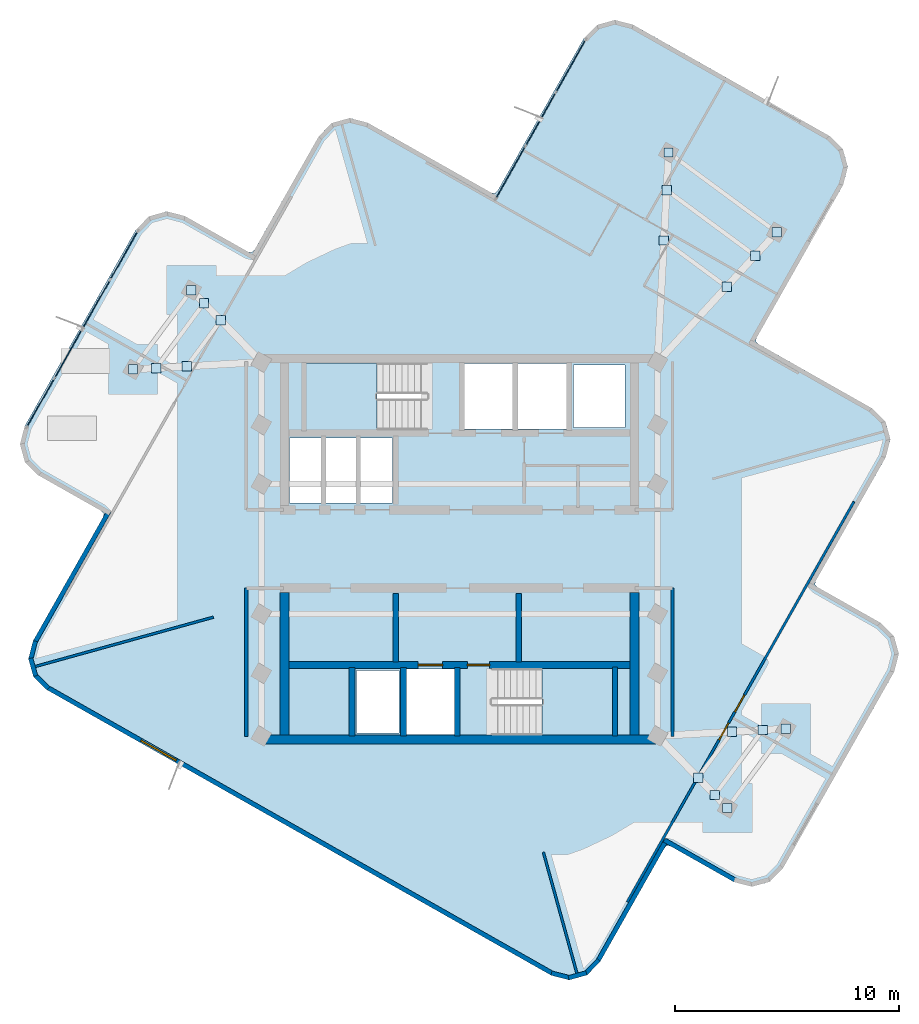
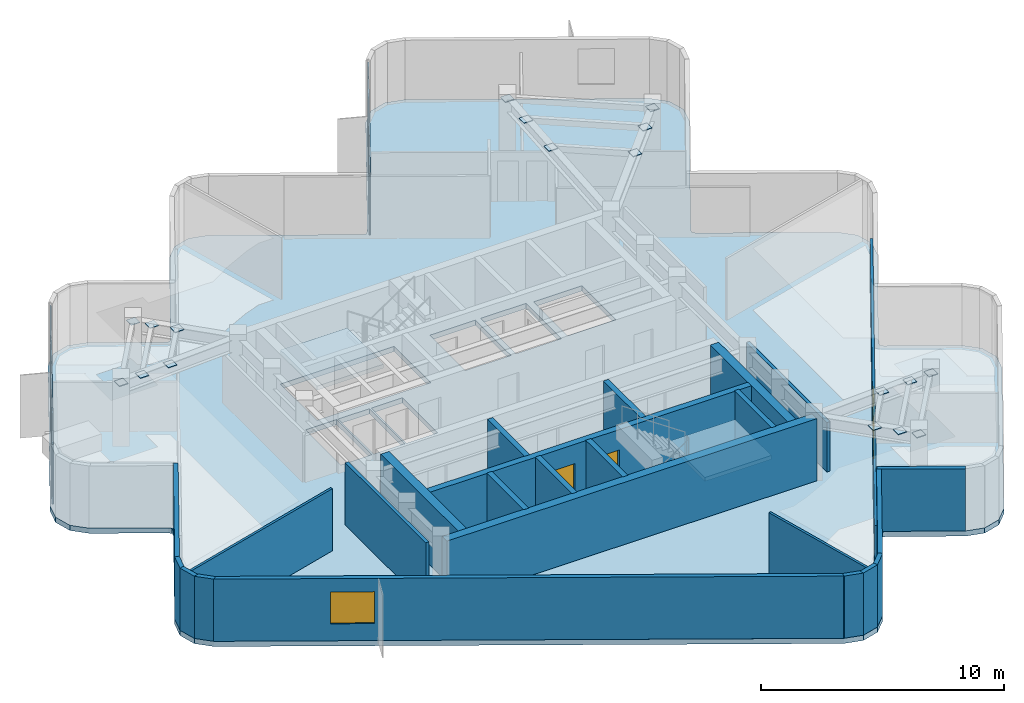
# One storey, part 5 of 11: 25 plates, 25 walls, 4 doors, 3 slabs, 1 window, 5 openings, 4 elements without a shape of their own.
"""IFC4 building model written with IfcOpenShell, lengths in metres."""

from ifc_helpers import new_model, si_unit, direction, frame, frame_2d, origin, origin_2d, place, context, subcontext, project, spatial, polyline, rectangle, outline, extrude, material, layer, layer_set, type_object, element, fill, aggregate, save


model = new_model("IFC4")

# Units and contexts
model_context = context("Model", 3, precision=1e-05, world=origin(), true_north=direction((0.0, 1.0)))
body_context = subcontext(model_context, "Body", "Model", "MODEL_VIEW")
ifc_project = project(units=[si_unit("LENGTHUNIT", "METRE"), si_unit("AREAUNIT", "SQUARE_METRE"), si_unit("VOLUMEUNIT", "CUBIC_METRE"), si_unit("PLANEANGLEUNIT", "RADIAN"), si_unit("MASSUNIT", "GRAM", prefix="KILO")], contexts=[model_context])

# Site, building, storey
site_placement = place(None, origin())
site = spatial("IfcSite", under=ifc_project, at=site_placement, CompositionType="ELEMENT")
building_placement = place(site_placement, origin())
building = spatial("IfcBuilding", under=site, at=building_placement, Name="Solmarez Civic Tower", CompositionType="ELEMENT")
storey_placement = place(building_placement, frame((0.0, 0.0, 281.699951171875)))
storey = spatial("IfcBuildingStorey", under=building, at=storey_placement, Name="L76", CompositionType="ELEMENT", Elevation=281.699951171875)

# Curtain wall, plates
ifc_material_1 = material(Name="Bronze Anodised Aluminium EN AW-6063 T6", Category="aluminium")
ifc_layer_1 = layer(ifc_material_1, 0.1650390625)
ifc_layer_set_1 = layer_set([ifc_layer_1], Name="Bronze Anodised Aluminium EN AW-6063 T6")
curtain_wall_type = type_object("IfcCurtainWallType", Name="CW-SYS-4", PredefinedType="NOTDEFINED", material=ifc_layer_set_1)
curtain_wall_1_placement = place(storey_placement, origin())
curtain_wall_1 = element("IfcCurtainWall", 1, at=curtain_wall_1_placement, inside=storey, type_object=curtain_wall_type, Name="L76 Stick-Built Curtain Wall 1", PredefinedType="NOTDEFINED")
ifc_material_2 = material(Name="Solar Control Low-E Laminated Vision Glass", Category="glass")
ifc_layer_2 = layer(ifc_material_2, 0.0400390625)
ifc_layer_set_2 = layer_set([ifc_layer_2], Name="Solar Control Low-E Laminated Vision Glass")
plate_type_1 = type_object("IfcPlateType", Name="CWP-GLAZ-40", PredefinedType="CURTAIN_PANEL", material=ifc_layer_set_2)
plate_1_placement = place(storey_placement, frame((-18.708251953125, 6.535400390625, 0.070068359375), z_axis=(0.0, 0.0, 1.0), x_axis=(0.492613746465, 0.87024806624, 0.0)))
plate_1 = element("IfcPlate", 2, at=plate_1_placement, type_object=plate_type_1, Name="CWS4 panel 1.1", PredefinedType="CURTAIN_PANEL", context=body_context, shape_type="SweptSolid", body=[
    extrude(rectangle(XDim=2.44091796875, YDim=0.0400390625, at=origin_2d()), origin(), (0.0, 0.0, 1.0), 2.97998046875),
])
plate_2_placement = place(storey_placement, frame((-17.468994140625, 8.724853515625, 0.070068359375), z_axis=(0.0, 0.0, 1.0), x_axis=(0.492613746465, 0.87024806624, 0.0)))
plate_2 = element("IfcPlate", 3, at=plate_2_placement, type_object=plate_type_1, Name="CWS4 panel 2.1", PredefinedType="CURTAIN_PANEL", context=body_context, shape_type="SweptSolid", body=[
    extrude(rectangle(XDim=2.470947265625, YDim=0.0400390625, at=origin_2d()), origin(), (0.0, 0.0, 1.0), 2.97998046875),
])
plate_3_placement = place(storey_placement, frame((-16.22216796875, 10.92724609375, 0.070068359375), z_axis=(0.0, 0.0, 1.0), x_axis=(0.492613746465, 0.87024806624, 0.0)))
plate_3 = element("IfcPlate", 4, at=plate_3_placement, type_object=plate_type_1, Name="CWS4 panel 3.1", PredefinedType="CURTAIN_PANEL", context=body_context, shape_type="SweptSolid", body=[
    extrude(rectangle(XDim=2.470947265625, YDim=0.0400390625, at=origin_2d()), origin(), (0.0, 0.0, 1.0), 2.97998046875),
])
plate_4_placement = place(storey_placement, frame((-14.982666015625, 13.11669921875, 0.070068359375), z_axis=(0.0, 0.0, 1.0), x_axis=(0.492613746465, 0.87024806624, 0.0)))
plate_4 = element("IfcPlate", 5, at=plate_4_placement, type_object=plate_type_1, Name="CWS4 panel 4.1", PredefinedType="CURTAIN_PANEL", context=body_context, shape_type="SweptSolid", body=[
    extrude(rectangle(XDim=2.44091796875, YDim=0.0400390625, at=origin_2d()), origin(), (0.0, 0.0, 1.0), 2.97998046875),
])
aggregate(curtain_wall_1, [plate_1, plate_2, plate_3, plate_4])

curtain_wall_2_placement = place(storey_placement, origin())
curtain_wall_2 = element("IfcCurtainWall", 6, at=curtain_wall_2_placement, inside=storey, type_object=curtain_wall_type, Name="L76 Stick-Built Curtain Wall 2", PredefinedType="NOTDEFINED")
plate_5_placement = place(storey_placement, frame((2.282958984375, 16.8173828125, 0.070068359375), z_axis=(0.0, 0.0, 1.0), x_axis=(0.492632896844, 0.870237225673, 0.0)))
plate_5 = element("IfcPlate", 7, at=plate_5_placement, type_object=plate_type_1, Name="CWS4 panel 1.1", PredefinedType="CURTAIN_PANEL", context=body_context, shape_type="SweptSolid", body=[
    extrude(rectangle(XDim=2.6572265625, YDim=0.0400390625, at=origin_2d()), origin(), (0.0, 0.0, 1.0), 2.97998046875),
])
plate_6_placement = place(storey_placement, frame((3.62890625, 19.195068359375, 0.070068359375), z_axis=(0.0, 0.0, 1.0), x_axis=(0.492632896844, 0.870237225673, 0.0)))
plate_6 = element("IfcPlate", 8, at=plate_6_placement, type_object=plate_type_1, Name="CWS4 panel 2.1", PredefinedType="CURTAIN_PANEL", context=body_context, shape_type="SweptSolid", body=[
    extrude(rectangle(XDim=2.687255859375, YDim=0.0400390625, at=origin_2d()), origin(), (0.0, 0.0, 1.0), 2.97998046875),
])
plate_7_placement = place(storey_placement, frame((4.974853515625, 21.572509765625, 0.070068359375), z_axis=(0.0, 0.0, 1.0), x_axis=(0.492632896844, 0.870237225673, 0.0)))
plate_7 = element("IfcPlate", 9, at=plate_7_placement, type_object=plate_type_1, Name="CWS4 panel 3.1", PredefinedType="CURTAIN_PANEL", context=body_context, shape_type="SweptSolid", body=[
    extrude(rectangle(XDim=2.6572265625, YDim=0.0400390625, at=origin_2d()), origin(), (0.0, 0.0, 1.0), 2.97998046875),
])
aggregate(curtain_wall_2, [plate_5, plate_6, plate_7])

# Plates
ifc_material_3 = material(Name="Steel S355", Category="steel")
ifc_layer_3 = layer(ifc_material_3, 0.02392578125)
ifc_layer_set_3 = layer_set([ifc_layer_3], Name="Steel S355")
plate_type_2 = type_object("IfcPlateType", Name="PLT-CAP-380", PredefinedType="USERDEFINED", material=ifc_layer_set_3)
for number, where, z_axis, x_axis, name in (
    (10, (14.1689453125, 14.152099609375, 2.9580078125), (0.0, 0.0, 1.0), (1.0, 0.0, 0.0), "Steel Member End Cap Plate CAP-BM-L76-EA-T1-0"),
    (11, (9.341064453125, 17.714111328125, 2.9580078125), (0.0, 0.0, 1.0), (1.0, 0.0, 0.0), "Steel Member End Cap Plate CAP-BM-L76-EA-T1-1"),
    (12, (11.93505859375, 11.715087890625, 2.9580078125), (0.0, 0.0, 1.0), (1.0, 0.0, 0.0), "Steel Member End Cap Plate CAP-JS-L76-EA-M11-0"),
    (13, (9.135009765625, 13.781005859375, 2.9580078125), (0.0, 0.0, 1.0), (1.0, 0.0, 0.0), "Steel Member End Cap Plate CAP-JS-L76-EA-M11-1"),
    (14, (13.2119140625, 13.10791015625, 2.9580078125), (0.0, 0.0, 1.0), (1.0, 0.0, 0.0), "Steel Member End Cap Plate CAP-JS-L76-EA-M12-0"),
    (15, (9.2529296875, 16.028076171875, 2.9580078125), (0.0, 0.0, 1.0), (1.0, 0.0, 0.0), "Steel Member End Cap Plate CAP-JS-L76-EA-M12-1"),
    (16, (-11.970947265625, 11.56591796875, 2.9580078125), (0.0, 0.0, 1.0), (1.0, 0.0, 0.0), "Steel Member End Cap Plate CAP-BM-L76-NA-T1-0"),
    (17, (-14.5830078125, 8.02587890625, 2.9580078125), (0.0, 0.0, 1.0), (1.0, 0.0, 0.0), "Steel Member End Cap Plate CAP-BM-L76-NA-T1-1"),
    (18, (-10.659912109375, 10.215087890625, 2.9580078125), (0.0, 0.0, 1.0), (1.0, 0.0, 0.0), "Steel Member End Cap Plate CAP-JS-L76-NA-M11-0"),
    (19, (-12.175048828125, 8.162109375, 2.9580078125), (0.0, 0.0, 1.0), (1.0, 0.0, 0.0), "Steel Member End Cap Plate CAP-JS-L76-NA-M11-1"),
    (20, (-11.408935546875, 10.987060546875, 2.9580078125), (0.0, 0.0, 1.0), (1.0, 0.0, 0.0), "Steel Member End Cap Plate CAP-JS-L76-NA-M12-0"),
    (21, (-13.551025390625, 8.083984375, 2.9580078125), (0.0, 0.0, 1.0), (1.0, 0.0, 0.0), "Steel Member End Cap Plate CAP-JS-L76-NA-M12-1"),
    (22, (11.970947265625, -11.56591796875, 2.9580078125), (0.0, 0.0, 1.0), (1.0, 0.0, 0.0), "Steel Member End Cap Plate CAP-BM-L76-SA-T1-0"),
    (23, (14.5830078125, -8.02587890625, 2.9580078125), (0.0, 0.0, 1.0), (1.0, 0.0, 0.0), "Steel Member End Cap Plate CAP-BM-L76-SA-T1-1"),
    (24, (10.659912109375, -10.215087890625, 2.9580078125), (0.0, 0.0, 1.0), (1.0, 0.0, 0.0), "Steel Member End Cap Plate CAP-JS-L76-SA-M11-0"),
    (25, (12.175048828125, -8.162109375, 2.9580078125), (0.0, 0.0, 1.0), (1.0, 0.0, 0.0), "Steel Member End Cap Plate CAP-JS-L76-SA-M11-1"),
    (26, (11.408935546875, -10.987060546875, 2.9580078125), (0.0, 0.0, 1.0), (1.0, 0.0, 0.0), "Steel Member End Cap Plate CAP-JS-L76-SA-M12-0"),
    (27, (13.551025390625, -8.083984375, 2.9580078125), (0.0, 0.0, 1.0), (1.0, 0.0, 0.0), "Steel Member End Cap Plate CAP-JS-L76-SA-M12-1"),
):
    element("IfcPlate", number, at=place(storey_placement, frame(where, z_axis=z_axis, x_axis=x_axis)), inside=storey, type_object=plate_type_2, Name=name, ObjectType="CAP_PLATE", PredefinedType="USERDEFINED", context=body_context, shape_type="SweptSolid", body=[
        extrude(rectangle(XDim=0.419921875, YDim=0.419921875, at=origin_2d()), origin(), (0.0, 0.0, 1.0), 0.02392578125),
    ])

# Stair, slab
ifc_material_4 = material(Name="Concrete C50/60", Category="concrete")
stair_type = type_object("IfcStairType", Name="STAIR-DOGLEG-140W-18R-1900", PredefinedType="HALF_TURN_STAIR", material=ifc_material_4)
stair_1_placement = place(storey_placement, origin())
stair_1 = element("IfcStair", 28, at=stair_1_placement, inside=storey, type_object=stair_type, Name="L76 North Core Protected Exit Stair ST-1", PredefinedType="HALF_TURN_STAIR")
ifc_layer_4 = layer(ifc_material_4, 0.199951171875)
ifc_layer_set_4 = layer_set([ifc_layer_4], Name="Concrete C50/60")
slab_type_1 = type_object("IfcSlabType", Name="SLAB-LANDING-200", PredefinedType="LANDING", material=ifc_layer_set_4)
slab_1_placement = place(storey_placement, frame((0.0, 0.0, 1.510009765625)))
slab_1 = element("IfcSlab", 29, at=slab_1_placement, type_object=slab_type_1, Name="ST-1 landing 1", PredefinedType="LANDING", context=body_context, shape_type="SweptSolid", body=[
    extrude(outline(polyline([(-3.68994140625, 8.320068359375), (-6.85009765625, 8.320068359375), (-6.85009765625, 5.320068359375), (-3.68994140625, 5.320068359375), (-3.68994140625, 8.320068359375)])), origin(), (0.0, 0.0, 1.0), 0.199951171875),
])
aggregate(stair_1, [slab_1])

stair_2_placement = place(storey_placement, origin())
stair_2 = element("IfcStair", 30, at=stair_2_placement, inside=storey, type_object=stair_type, Name="L76 South Core Protected Exit Stair ST-2", PredefinedType="HALF_TURN_STAIR")
slab_2_placement = place(storey_placement, frame((0.0, 0.0, 1.510009765625)))
slab_2 = element("IfcSlab", 31, at=slab_2_placement, type_object=slab_type_1, Name="ST-2 landing 1", PredefinedType="LANDING", context=body_context, shape_type="SweptSolid", body=[
    extrude(outline(polyline([(3.68994140625, -8.320068359375), (6.85009765625, -8.320068359375), (6.85009765625, -5.320068359375), (3.68994140625, -5.320068359375), (3.68994140625, -8.320068359375)])), origin(), (0.0, 0.0, 1.0), 0.199951171875),
])
aggregate(stair_2, [slab_2])

# Slab
ifc_layer_5 = layer(ifc_material_4, 0.260009765625)
ifc_layer_set_5 = layer_set([ifc_layer_5], Name="Concrete C50/60")
slab_type_2 = type_object("IfcSlabType", Name="SLAB-TOWER-260", PredefinedType="FLOOR", material=ifc_layer_set_5)
slab_3_placement = place(storey_placement, frame((0.0, 0.0, -0.260009765625)))
element("IfcSlab", 32, at=slab_3_placement, inside=storey, type_object=slab_type_2, Name="L76 Structural Slab", PredefinedType="FLOOR", context=body_context, shape_type="SweptSolid", body=[
    extrude(outline(polyline([(9.445068359375, -13.277099609375), (12.262939453125, -14.873046875), (13.06494140625, -15.0810546875), (13.863037109375, -14.860107421875), (14.444091796875, -14.26904296875), (19.4208984375, -5.48095703125), (19.6279296875, -4.678955078125), (19.406982421875, -3.881103515625), (18.81689453125, -3.300048828125), (15.998046875, -1.7041015625), (15.875, -1.5830078125), (15.91796875, -1.4169921875), (19.0419921875, 4.10009765625), (19.25, 4.90087890625), (19.029052734375, 5.699951171875), (18.43798828125, 6.280029296875), (13.35693359375, 9.157958984375), (13.23388671875, 9.278076171875), (13.277099609375, 9.445068359375), (17.139892578125, 16.26611328125), (17.347900390625, 17.068115234375), (17.126953125, 17.865966796875), (16.535888671875, 18.447021484375), (7.7470703125, 23.424072265625), (6.945068359375, 23.631103515625), (6.14697265625, 23.409912109375), (5.56591796875, 22.820068359375), (1.7041015625, 15.998046875), (1.5830078125, 15.875), (1.4169921875, 15.91796875), (-4.10009765625, 19.0419921875), (-4.90087890625, 19.25), (-5.699951171875, 19.029052734375), (-6.280029296875, 18.43798828125), (-9.157958984375, 13.35693359375), (-9.278076171875, 13.23388671875), (-9.445068359375, 13.277099609375), (-12.262939453125, 14.873046875), (-13.06494140625, 15.0810546875), (-13.863037109375, 14.860107421875), (-14.444091796875, 14.26904296875), (-19.4208984375, 5.48095703125), (-19.6279296875, 4.678955078125), (-19.406982421875, 3.881103515625), (-18.81689453125, 3.300048828125), (-15.998046875, 1.7041015625), (-15.875, 1.5830078125), (-15.91796875, 1.4169921875), (-19.0419921875, -4.10009765625), (-19.25, -4.90087890625), (-19.029052734375, -5.699951171875), (-18.43798828125, -6.280029296875), (4.10009765625, -19.0419921875), (4.90087890625, -19.25), (5.699951171875, -19.029052734375), (6.280029296875, -18.43798828125), (9.157958984375, -13.35693359375), (9.278076171875, -13.23388671875), (9.445068359375, -13.277099609375)]), holes=[polyline([(-1.449951171875, 8.320068359375), (-6.85009765625, 8.320068359375), (-6.85009765625, 5.320068359375), (-1.449951171875, 5.320068359375), (-1.449951171875, 8.320068359375)]), polyline([(1.449951171875, -8.320068359375), (6.85009765625, -8.320068359375), (6.85009765625, -5.320068359375), (1.449951171875, -5.320068359375), (1.449951171875, -8.320068359375)]), polyline([(0.219970703125, 5.360107421875), (2.3798828125, 5.360107421875), (2.3798828125, 8.280029296875), (0.219970703125, 8.280029296875), (0.219970703125, 5.360107421875)]), polyline([(2.6201171875, 5.360107421875), (4.780029296875, 5.360107421875), (4.780029296875, 8.280029296875), (2.6201171875, 8.280029296875), (2.6201171875, 5.360107421875)]), polyline([(-2.3798828125, -8.280029296875), (-0.219970703125, -8.280029296875), (-0.219970703125, -5.360107421875), (-2.3798828125, -5.360107421875), (-2.3798828125, -8.280029296875)]), polyline([(-7.60009765625, 2.06005859375), (-6.1201171875, 2.06005859375), (-6.1201171875, 4.9599609375), (-7.60009765625, 4.9599609375), (-7.60009765625, 2.06005859375)]), polyline([(-6.0400390625, 2.06005859375), (-4.56005859375, 2.06005859375), (-4.56005859375, 4.9599609375), (-6.0400390625, 4.9599609375), (-6.0400390625, 2.06005859375)]), polyline([(-4.47998046875, 2.06005859375), (-3.0, 2.06005859375), (-3.0, 4.9599609375), (-4.47998046875, 4.9599609375), (-4.47998046875, 2.06005859375)]), polyline([(5.10009765625, 5.419921875), (7.39990234375, 5.419921875), (7.39990234375, 8.219970703125), (5.10009765625, 8.219970703125), (5.10009765625, 5.419921875)]), polyline([(-4.60009765625, -8.219970703125), (-2.699951171875, -8.219970703125), (-2.699951171875, -5.419921875), (-4.60009765625, -5.419921875), (-4.60009765625, -8.219970703125)])]), origin(), (0.0, 0.0, 1.0), 0.260009765625),
])

# Walls
ifc_layer_6 = layer(ifc_material_4, 0.39990234375)
ifc_layer_set_6 = layer_set([ifc_layer_6], Name="Concrete C50/60")
wall_type_1 = type_object("IfcWallType", Name="WALL-CORE-400", PredefinedType="SHEAR", material=ifc_layer_set_6)
wall_1_placement = place(storey_placement, frame((8.780029296875, -8.510009765625, 0.0), z_axis=(0.0, 0.0, 1.0), x_axis=(-1.0, 0.0, 0.0)))
element("IfcWall", 33, at=wall_1_placement, inside=storey, type_object=wall_type_1, Name="L76 Split-Core Structural Wall SCW-S-L76", PredefinedType="SHEAR", context=body_context, shape_type="SweptSolid", body=[
    extrude(rectangle(XDim=17.56005859375, YDim=0.39990234375, at=frame_2d((8.780029296875, 0.0))), origin(), (0.0, 0.0, 1.0), 3.1201171875),
])
for number, where, z_axis, x_axis, name in (
    (34, (-7.820068359375, -8.31005859375, 0.0), (0.0, 0.0, 1.0), (0.0, 1.0, 0.0), "L76 Split-Core Structural Wall SCW-W-L76"),
    (35, (7.820068359375, -1.949951171875, 0.0), (0.0, 0.0, 1.0), (0.0, -1.0, 0.0), "L76 Split-Core Structural Wall SCW-E-L76"),
):
    element("IfcWall", number, at=place(storey_placement, frame(where, z_axis=z_axis, x_axis=x_axis)), inside=storey, type_object=wall_type_1, Name=name, PredefinedType="SHEAR", context=body_context, shape_type="SweptSolid", body=[
        extrude(rectangle(XDim=6.360107421875, YDim=0.39990234375, at=frame_2d((3.18017578125, 0.0))), origin(), (0.0, 0.0, 1.0), 3.1201171875),
    ])
ifc_material_5 = material(Name="Precast concrete C40/50", Category="concrete")
ifc_layer_7 = layer(ifc_material_5, 0.199951171875)
ifc_layer_set_7 = layer_set([ifc_layer_7], Name="Precast concrete C40/50")
wall_type_2 = type_object("IfcWallType", Name="WALL-EXT-200", PredefinedType="SOLIDWALL", material=ifc_layer_set_7)
wall_2_placement = place(storey_placement, frame((9.261962890625, -12.968017578125, 0.0), z_axis=(0.0, 0.0, 1.0), x_axis=(-0.492583125855, -0.87026539867, 0.0)))
element("IfcWall", 36, at=wall_2_placement, inside=storey, type_object=wall_type_2, Name="L76 Exterior Precast Wall 2", PredefinedType="SOLIDWALL", context=body_context, shape_type="SweptSolid", body=[
    extrude(rectangle(XDim=6.240478515625, YDim=0.199951171875, at=frame_2d((3.1201171875, 0.0))), origin(), (0.0, 0.0, 1.0), 3.1201171875),
])
wall_3_placement = place(storey_placement, frame((6.218017578125, -18.35888671875, 0.0), z_axis=(0.0, 0.0, 1.0), x_axis=(-0.701706468749, -0.712466161804, 0.0)))
element("IfcWall", 37, at=wall_3_placement, inside=storey, type_object=wall_type_2, Name="L76 Exterior Precast Wall 3", PredefinedType="SOLIDWALL", context=body_context, shape_type="SweptSolid", body=[
    extrude(rectangle(XDim=0.839599609375, YDim=0.199951171875, at=frame_2d((0.419921875, 0.0))), origin(), (0.0, 0.0, 1.0), 3.1201171875),
])
wall_4_placement = place(storey_placement, frame((5.6708984375, -18.931884765625, 0.0), z_axis=(0.0, 0.0, 1.0), x_axis=(-0.963313924885, -0.268377126675, 0.0)))
element("IfcWall", 38, at=wall_4_placement, inside=storey, type_object=wall_type_2, Name="L76 Exterior Precast Wall 4", PredefinedType="SOLIDWALL", context=body_context, shape_type="SweptSolid", body=[
    extrude(rectangle(XDim=0.82421875, YDim=0.199951171875, at=frame_2d((0.412109375, 0.0))), origin(), (0.0, 0.0, 1.0), 3.1201171875),
])
wall_5_placement = place(storey_placement, frame((4.925048828125, -19.152099609375, 0.0), z_axis=(0.0, 0.0, 1.0), x_axis=(-0.968015248239, 0.250891369276, 0.0)))
element("IfcWall", 39, at=wall_5_placement, inside=storey, type_object=wall_type_2, Name="L76 Exterior Precast Wall 5", PredefinedType="SOLIDWALL", context=body_context, shape_type="SweptSolid", body=[
    extrude(rectangle(XDim=0.837890625, YDim=0.199951171875, at=frame_2d((0.4189453125, 0.0))), origin(), (0.0, 0.0, 1.0), 3.1201171875),
])

# Wall, opening, window
wall_6_placement = place(storey_placement, frame((4.159912109375, -18.9599609375, 0.0), z_axis=(0.0, 0.0, 1.0), x_axis=(-0.870210232131, 0.492680577956, 0.0)))
wall_6 = element("IfcWall", 40, at=wall_6_placement, inside=storey, type_object=wall_type_2, Name="L76 Exterior Precast Wall 6", PredefinedType="SOLIDWALL", context=body_context, shape_type="SweptSolid", body=[
    extrude(rectangle(XDim=25.92333984375, YDim=0.199951171875, at=frame_2d((12.961669921875, 0.0))), origin(), (0.0, 0.0, 1.0), 3.1201171875),
])
opening_1_placement = place(wall_6_placement, frame((19.320068359375, 0.0, 0.85009765625)))
opening_1 = element("IfcOpeningElement", 41, at=opening_1_placement, cuts=wall_6, Name="Opening W-12", PredefinedType="OPENING", context=body_context, shape_type="SweptSolid", body=[
    extrude(rectangle(XDim=1.800048828125, YDim=1.60009765625, at=frame_2d((0.89990234375, 0.800048828125))), frame((0.0, 0.10986328125, 0.0), z_axis=(0.0, -1.0, 0.0), x_axis=(1.0, 0.0, 0.0)), (0.0, 0.0, 1.0), 0.219970703125),
])
ifc_material_6 = material(Name="Solar Control Bronze-Tinted Insulating Glass", Category="glass")
window_type = type_object("IfcWindowType", Name="WIN-1800X1600", PartitioningType="SINGLE_PANEL", PredefinedType="WINDOW", material=ifc_material_6)
window_placement = place(opening_1_placement, origin())
window = element("IfcWindow", 42, at=window_placement, inside=storey, type_object=window_type, Name="L76 Exterior Facade Window 6", OverallHeight=1.60009765625, OverallWidth=1.800048828125, PartitioningType="SINGLE_PANEL", PredefinedType="WINDOW", context=body_context, shape_type="SweptSolid", body=[
    extrude(rectangle(XDim=1.800048828125, YDim=1.60009765625, at=frame_2d((0.89990234375, 0.800048828125))), frame((0.0, 0.030029296875, 0.0), z_axis=(0.0, -1.0, 0.0), x_axis=(1.0, 0.0, 0.0)), (0.0, 0.0, 1.0), 0.06005859375),
])
fill(opening_1, window)

# Walls
wall_7_placement = place(storey_placement, frame((-18.35888671875, -6.218017578125, 0.0), z_axis=(0.0, 0.0, 1.0), x_axis=(-0.712466161804, 0.701706468749, 0.0)))
element("IfcWall", 43, at=wall_7_placement, inside=storey, type_object=wall_type_2, Name="L76 Exterior Precast Wall 7", PredefinedType="SOLIDWALL", context=body_context, shape_type="SweptSolid", body=[
    extrude(rectangle(XDim=0.839599609375, YDim=0.199951171875, at=frame_2d((0.419921875, 0.0))), origin(), (0.0, 0.0, 1.0), 3.1201171875),
])
wall_8_placement = place(storey_placement, frame((-18.931884765625, -5.6708984375, 0.0), z_axis=(0.0, 0.0, 1.0), x_axis=(-0.268377126675, 0.963313924885, 0.0)))
element("IfcWall", 44, at=wall_8_placement, inside=storey, type_object=wall_type_2, Name="L76 Exterior Precast Wall 8", PredefinedType="SOLIDWALL", context=body_context, shape_type="SweptSolid", body=[
    extrude(rectangle(XDim=0.82421875, YDim=0.199951171875, at=frame_2d((0.412109375, 0.0))), origin(), (0.0, 0.0, 1.0), 3.1201171875),
])
wall_9_placement = place(storey_placement, frame((-19.152099609375, -4.925048828125, 0.0), z_axis=(0.0, 0.0, 1.0), x_axis=(0.250891369276, 0.968015248239, 0.0)))
element("IfcWall", 45, at=wall_9_placement, inside=storey, type_object=wall_type_2, Name="L76 Exterior Precast Wall 9", PredefinedType="SOLIDWALL", context=body_context, shape_type="SweptSolid", body=[
    extrude(rectangle(XDim=0.837890625, YDim=0.199951171875, at=frame_2d((0.4189453125, 0.0))), origin(), (0.0, 0.0, 1.0), 3.1201171875),
])
wall_10_placement = place(storey_placement, frame((-18.9599609375, -4.159912109375, 0.0), z_axis=(0.0, 0.0, 1.0), x_axis=(0.492441425139, 0.870345588147, 0.0)))
element("IfcWall", 46, at=wall_10_placement, inside=storey, type_object=wall_type_2, Name="L76 Exterior Precast Wall 10", PredefinedType="SOLIDWALL", context=body_context, shape_type="SweptSolid", body=[
    extrude(rectangle(XDim=6.741943359375, YDim=0.199951171875, at=frame_2d((3.37109375, 0.0))), origin(), (0.0, 0.0, 1.0), 3.1201171875),
])
wall_11_placement = place(storey_placement, frame((12.322998046875, -14.7919921875, 0.0), z_axis=(0.0, 0.0, 1.0), x_axis=(-0.870412972764, 0.492322309918, 0.0)))
element("IfcWall", 47, at=wall_11_placement, inside=storey, type_object=wall_type_2, Name="L76 Exterior Precast Wall 57", PredefinedType="SOLIDWALL", context=body_context, shape_type="SweptSolid", body=[
    extrude(rectangle(XDim=3.641845703125, YDim=0.199951171875, at=frame_2d((1.82080078125, 0.0))), origin(), (0.0, 0.0, 1.0), 3.1201171875),
])
ifc_material_7 = material(Name="Gypsum Board Acoustic Steel-Stud Partition", Category="steel")
ifc_layer_8 = layer(ifc_material_7, 0.14990234375)
ifc_layer_set_8 = layer_set([ifc_layer_8], Name="Gypsum Board Acoustic Steel-Stud Partition")
wall_type_3 = type_object("IfcWallType", Name="WALL-INT-FIRE-150", PredefinedType="PARTITIONING", material=ifc_layer_set_8)
wall_12_placement = place(storey_placement, frame((-9.52001953125, -8.3798828125, 0.0), z_axis=(0.0, 0.0, 1.0), x_axis=(0.0, 1.0, 0.0)))
element("IfcWall", 48, at=wall_12_placement, inside=storey, type_object=wall_type_3, Name="L76 Interior Partition CHW-L76-WS1", PredefinedType="PARTITIONING", context=body_context, shape_type="SweptSolid", body=[
    extrude(rectangle(XDim=6.6298828125, YDim=0.14990234375, at=frame_2d((3.31494140625, 0.0))), origin(), (0.0, 0.0, 1.0), 3.1201171875),
])
wall_13_placement = place(storey_placement, frame((9.52001953125, -8.3798828125, 0.0), z_axis=(0.0, 0.0, 1.0), x_axis=(0.0, 1.0, 0.0)))
element("IfcWall", 49, at=wall_13_placement, inside=storey, type_object=wall_type_3, Name="L76 Interior Partition CHW-L76-ES1", PredefinedType="PARTITIONING", context=body_context, shape_type="SweptSolid", body=[
    extrude(rectangle(XDim=6.6298828125, YDim=0.14990234375, at=frame_2d((3.31494140625, 0.0))), origin(), (0.0, 0.0, 1.0), 2.489990234375),
])
ifc_layer_9 = layer(ifc_material_7, 0.110107421875)
ifc_layer_set_9 = layer_set([ifc_layer_9], Name="Gypsum Board Acoustic Steel-Stud Partition")
wall_type_4 = type_object("IfcWallType", Name="WALL-INT-PART-110", PredefinedType="PARTITIONING", material=ifc_layer_set_9)
wall_14_placement = place(storey_placement, frame((-10.986083984375, -3.04296875, 0.0), z_axis=(0.0, 0.0, 1.0), x_axis=(-0.963747373359, -0.266816416929, 0.0)))
element("IfcWall", 50, at=wall_14_placement, inside=storey, type_object=wall_type_4, Name="L76 Interior Partition PT-L76-QDIV-2", PredefinedType="PARTITIONING", context=body_context, shape_type="SweptSolid", body=[
    extrude(rectangle(XDim=8.294677734375, YDim=0.110107421875, at=frame_2d((4.1474609375, 0.0))), origin(), (0.0, 0.0, 1.0), 3.1201171875),
])
wall_15_placement = place(storey_placement, frame((3.75, -13.5400390625, 0.0), z_axis=(0.0, 0.0, 1.0), x_axis=(0.266822842302, -0.963745594452, 0.0)))
element("IfcWall", 51, at=wall_15_placement, inside=storey, type_object=wall_type_4, Name="L76 Interior Partition PT-L76-QDIV-3", PredefinedType="PARTITIONING", context=body_context, shape_type="SweptSolid", body=[
    extrude(rectangle(XDim=5.64453125, YDim=0.110107421875, at=frame_2d((2.822265625, 0.0))), origin(), (0.0, 0.0, 1.0), 3.1201171875),
])

# Wall, openings, doors
wall_16_placement = place(storey_placement, frame((17.618896484375, 2.113037109375, 0.0), z_axis=(0.0, 0.0, 1.0), x_axis=(-0.492746831558, -0.870172718482, 0.0)))
wall_16 = element("IfcWall", 52, at=wall_16_placement, inside=storey, type_object=wall_type_4, Name="L76 Interior Partition PT-L76-S-ENT", PredefinedType="PARTITIONING", context=body_context, shape_type="SweptSolid", body=[
    extrude(rectangle(XDim=20.53955078125, YDim=0.110107421875, at=frame_2d((10.269775390625, 0.0))), origin(), (0.0, 0.0, 1.0), 2.489990234375),
])
opening_2_placement = place(wall_16_placement, frame((11.360107421875, 0.0, 0.0)))
opening_2 = element("IfcOpeningElement", 53, at=opening_2_placement, cuts=wall_16, Name="Opening D-14", PredefinedType="OPENING", context=body_context, shape_type="SweptSolid", body=[
    extrude(rectangle(XDim=0.860107421875, YDim=2.0400390625, at=frame_2d((0.43017578125, 1.02001953125))), frame((0.0, 0.06494140625, 0.0), z_axis=(0.0, -1.0, 0.0), x_axis=(1.0, 0.0, 0.0)), (0.0, 0.0, 1.0), 0.130126953125),
])
opening_3_placement = place(wall_16_placement, frame((9.919921875, 0.0, 0.0)))
opening_3 = element("IfcOpeningElement", 54, at=opening_3_placement, cuts=wall_16, Name="Opening D-14", PredefinedType="OPENING", context=body_context, shape_type="SweptSolid", body=[
    extrude(rectangle(XDim=0.860107421875, YDim=2.0400390625, at=frame_2d((0.43017578125, 1.02001953125))), frame((0.0, 0.06494140625, 0.0), z_axis=(0.0, -1.0, 0.0), x_axis=(1.0, 0.0, 0.0)), (0.0, 0.0, 1.0), 0.130126953125),
])
ifc_material_8 = material(Name="Timber Storage and Pantry Door", Category="wood")
door_type_1 = type_object("IfcDoorType", Name="DOOR-INT-850", OperationType="NOTDEFINED", PredefinedType="DOOR", material=ifc_material_8)
door_1_placement = place(opening_2_placement, origin())
door_1 = element("IfcDoor", 55, at=door_1_placement, inside=storey, type_object=door_type_1, Name="L76 Tribunal Mediation Conference Room Second South Door", OperationType="SINGLE_SWING_RIGHT", OverallHeight=2.0400390625, OverallWidth=0.860107421875, PredefinedType="DOOR", context=body_context, shape_type="SweptSolid", body=[
    extrude(rectangle(XDim=0.860107421875, YDim=2.0400390625, at=frame_2d((0.43017578125, 1.02001953125))), frame((0.0, 0.02490234375, 0.0), z_axis=(0.0, -1.0, 0.0), x_axis=(1.0, 0.0, 0.0)), (0.0, 0.0, 1.0), 0.050048828125),
])
fill(opening_2, door_1)
door_2_placement = place(opening_3_placement, origin())
door_2 = element("IfcDoor", 56, at=door_2_placement, inside=storey, type_object=door_type_1, Name="L76 Delegates Lounge First South Door", OperationType="SINGLE_SWING_LEFT", OverallHeight=2.0400390625, OverallWidth=0.860107421875, PredefinedType="DOOR", context=body_context, shape_type="SweptSolid", body=[
    extrude(rectangle(XDim=0.860107421875, YDim=2.0400390625, at=frame_2d((0.43017578125, 1.02001953125))), frame((0.0, 0.02490234375, 0.0), z_axis=(0.0, -1.0, 0.0), x_axis=(1.0, 0.0, 0.0)), (0.0, 0.0, 1.0), 0.050048828125),
])
fill(opening_3, door_2)

ifc_layer_10 = layer(ifc_material_4, 0.300048828125)
ifc_layer_set_10 = layer_set([ifc_layer_10], Name="Concrete C50/60")
wall_type_5 = type_object("IfcWallType", Name="WALL-STR-300", PredefinedType="SOLIDWALL", material=ifc_layer_set_10)
wall_17_placement = place(storey_placement, frame((-7.6201171875, -5.179931640625, 0.0), z_axis=(0.0, 0.0, 1.0), x_axis=(1.0, 0.0, 0.0)))
wall_17 = element("IfcWall", 57, at=wall_17_placement, inside=storey, type_object=wall_type_5, Name="L76 Split-Core Structural Wall SCW-M-L76", PredefinedType="SOLIDWALL", context=body_context, shape_type="SweptSolid", body=[
    extrude(rectangle(XDim=15.240234375, YDim=0.300048828125, at=frame_2d((7.6201171875, 0.0))), origin(), (0.0, 0.0, 1.0), 3.1201171875),
])
opening_4_placement = place(wall_17_placement, frame((5.77001953125, 0.0, 0.0)))
opening_4 = element("IfcOpeningElement", 58, at=opening_4_placement, cuts=wall_17, Name="Opening LD-02", PredefinedType="OPENING", context=body_context, shape_type="SweptSolid", body=[
    extrude(rectangle(XDim=1.10009765625, YDim=2.14990234375, at=frame_2d((0.550048828125, 1.074951171875))), frame((0.0, 0.159912109375, 0.0), z_axis=(0.0, -1.0, 0.0), x_axis=(1.0, 0.0, 0.0)), (0.0, 0.0, 1.0), 0.320068359375),
])
opening_5_placement = place(wall_17_placement, frame((7.969970703125, 0.0, 0.0)))
opening_5 = element("IfcOpeningElement", 59, at=opening_5_placement, cuts=wall_17, Name="Opening D-05", PredefinedType="OPENING", context=body_context, shape_type="SweptSolid", body=[
    extrude(rectangle(XDim=1.0, YDim=2.10009765625, at=frame_2d((0.5, 1.050048828125))), frame((0.0, 0.159912109375, 0.0), z_axis=(0.0, -1.0, 0.0), x_axis=(1.0, 0.0, 0.0)), (0.0, 0.0, 1.0), 0.320068359375),
])
ifc_material_9 = material(Name="Fire-Rated Stairwell Exit Door", Category="wood")
door_type_2 = type_object("IfcDoorType", Name="DOOR-FD90-1000", OperationType="NOTDEFINED", PredefinedType="DOOR", material=ifc_material_9)
door_3_placement = place(opening_5_placement, origin())
door_3 = element("IfcDoor", 60, at=door_3_placement, inside=storey, type_object=door_type_2, Name="L76 South Exit Stair Door ST-2", OperationType="SINGLE_SWING_RIGHT", OverallHeight=2.10009765625, OverallWidth=1.0, PredefinedType="DOOR", context=body_context, shape_type="SweptSolid", body=[
    extrude(rectangle(XDim=1.0, YDim=2.10009765625, at=frame_2d((0.5, 1.050048828125))), frame((0.0, 0.02490234375, 0.0), z_axis=(0.0, -1.0, 0.0), x_axis=(1.0, 0.0, 0.0)), (0.0, 0.0, 1.0), 0.050048828125),
])
fill(opening_5, door_3)
ifc_material_10 = material(Name="Stainless Firefighting Lift Landing Sliding Door", Category="aluminium")
door_type_3 = type_object("IfcDoorType", Name="DOOR-LD-FF-1100", OperationType="DOUBLE_DOOR_SLIDING", PredefinedType="DOOR", material=ifc_material_10)
door_4_placement = place(opening_4_placement, origin())
door_4 = element("IfcDoor", 61, at=door_4_placement, inside=storey, type_object=door_type_3, Name="L76 Firefighting Lift Landing Door FFL-2", OperationType="DOUBLE_DOOR_SLIDING", OverallHeight=2.14990234375, OverallWidth=1.10009765625, PredefinedType="DOOR", context=body_context, shape_type="SweptSolid", body=[
    extrude(rectangle(XDim=1.10009765625, YDim=2.14990234375, at=frame_2d((0.550048828125, 1.074951171875))), frame((0.0, 0.02490234375, 0.0), z_axis=(0.0, -1.0, 0.0), x_axis=(1.0, 0.0, 0.0)), (0.0, 0.0, 1.0), 0.050048828125),
])
fill(opening_4, door_4)

# Walls
wall_18_placement = place(storey_placement, frame((6.949951171875, -8.340087890625, 0.0), z_axis=(0.0, 0.0, 1.0), x_axis=(0.0, 1.0, 0.0)))
element("IfcWall", 62, at=wall_18_placement, inside=storey, type_object=wall_type_5, Name="L76 Split-Core Structural Wall SHW-SE-L76", PredefinedType="SOLIDWALL", context=body_context, shape_type="SweptSolid", body=[
    extrude(rectangle(XDim=3.06005859375, YDim=0.219970703125, at=frame_2d((1.530029296875, 0.0))), origin(), (0.0, 0.0, 1.0), 3.1201171875),
])
for number, where, z_axis, x_axis, name in (
    (63, (-0.10009765625, -8.340087890625, 0.0), (0.0, 0.0, 1.0), (0.0, 1.0, 0.0), "L76 Split-Core Structural Wall SHW-S1-L76"),
    (64, (-2.5, -8.340087890625, 0.0), (0.0, 0.0, 1.0), (0.0, 1.0, 0.0), "L76 Split-Core Structural Wall SHW-S2-L76"),
    (65, (-4.800048828125, -8.340087890625, 0.0), (0.0, 0.0, 1.0), (0.0, 1.0, 0.0), "L76 Split-Core Structural Wall SHW-S3-L76"),
):
    element("IfcWall", number, at=place(storey_placement, frame(where, z_axis=z_axis, x_axis=x_axis)), inside=storey, type_object=wall_type_5, Name=name, PredefinedType="SOLIDWALL", context=body_context, shape_type="SweptSolid", body=[
        extrude(rectangle(XDim=3.0400390625, YDim=0.25, at=frame_2d((1.52001953125, 0.0))), origin(), (0.0, 0.0, 1.0), 3.1201171875),
    ])
for number, where, z_axis, x_axis, name in (
    (66, (-2.85009765625, -5.050048828125, 0.0), (0.0, 0.0, 1.0), (0.0, 1.0, 0.0), "L76 Split-Core Structural Wall SHW-SL1-L76"),
    (67, (2.64990234375, -5.050048828125, 0.0), (0.0, 0.0, 1.0), (0.0, 1.0, 0.0), "L76 Split-Core Structural Wall SHW-SL2-L76"),
):
    element("IfcWall", number, at=place(storey_placement, frame(where, z_axis=z_axis, x_axis=x_axis)), inside=storey, type_object=wall_type_5, Name=name, PredefinedType="SOLIDWALL", context=body_context, shape_type="SweptSolid", body=[
        extrude(rectangle(XDim=3.070068359375, YDim=0.25, at=frame_2d((1.53515625, 0.0))), origin(), (0.0, 0.0, 1.0), 3.1201171875),
    ])

save(model, "model.ifc")
